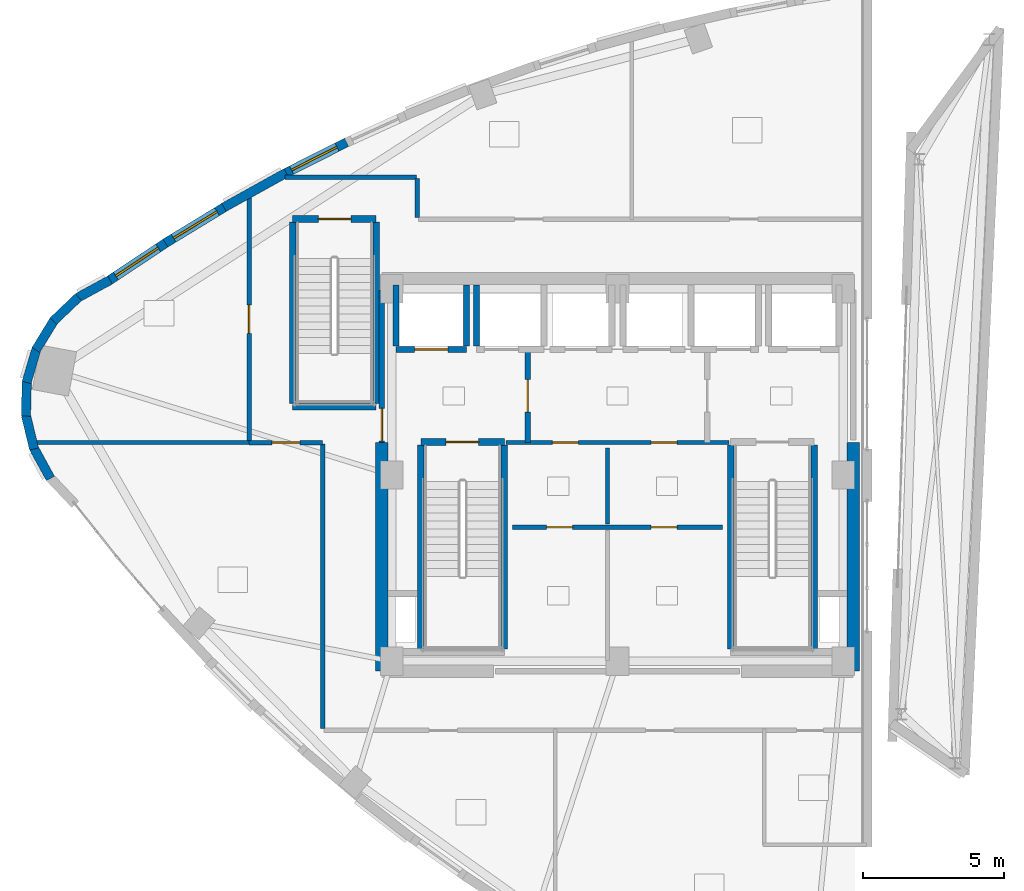
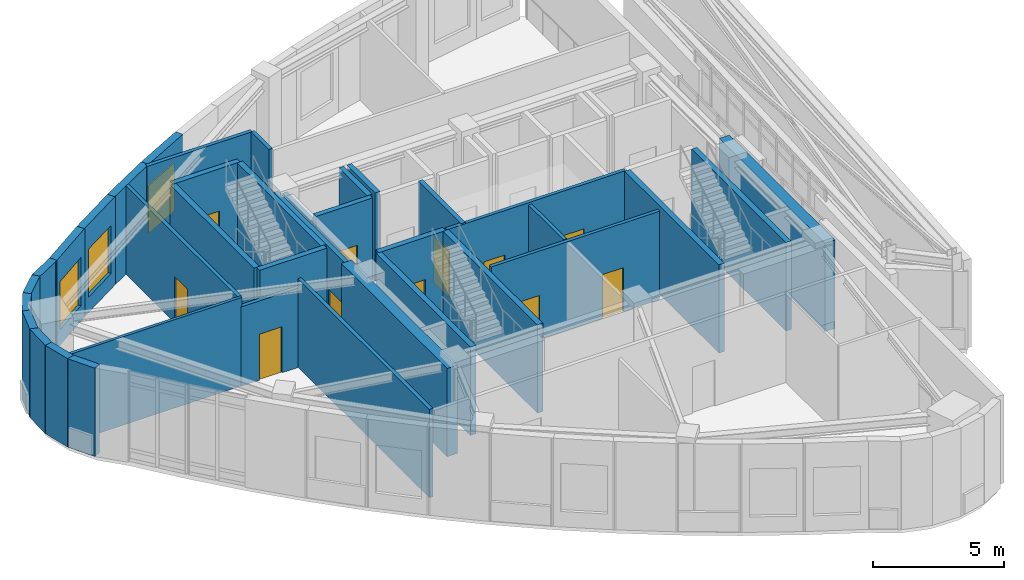
# One storey, part 14 of 19: 37 walls, 11 doors, 3 windows, 14 openings.
"""IFC4 building model written with IfcOpenShell, lengths in metres."""

import ifcopenshell
import ifcopenshell.guid

model = None  # the IFC model being written
_history = None  # IfcOwnerHistory: only IFC2X3 demands one
_inside = {}  # id of a spatial element -> (the spatial element, [elements in it])
_under = {}  # id of a project, library or spatial element -> (it, [spatial elements below it])
_declared = {}  # id of a project -> (the project, [libraries it declares])
_typed = {}  # id of a type object -> (the type object, [elements of that type])
_made_of = {}  # id of a material, layer set ... -> (it, [elements and type objects made of it])


def new_model(schema):
    """Start an empty IFC model of exactly this schema.

    Asked for "IFC4X3", IfcOpenShell would pick the latest addendum, in which some entities
    have other attributes; the version numbers below select the first issue.
    IFC2X3 requires an IfcOwnerHistory on every rooted entity: one is made here for all.
    """
    global model, _history
    if schema == "IFC4X3":
        model = ifcopenshell.file(schema_version=(4, 3, 0, 0))
    else:
        model = ifcopenshell.file(schema=schema)
    _inside.clear()
    _under.clear()
    _declared.clear()
    _typed.clear()
    _made_of.clear()
    _history = None
    if model.schema == "IFC2X3":
        org = make("IfcOrganization", Name="unknown")
        user = make(
            "IfcPersonAndOrganization",
            ThePerson=make("IfcPerson", FamilyName="unknown"),
            TheOrganization=org,
        )
        app = make(
            "IfcApplication",
            ApplicationDeveloper=org,
            Version="unknown",
            ApplicationFullName="unknown",
            ApplicationIdentifier="unknown",
        )
        _history = make(
            "IfcOwnerHistory",
            OwningUser=user,
            OwningApplication=app,
            ChangeAction="ADDED",
            CreationDate=0,
        )
    return model


def make(cls, **values):
    """One entity of the class cls with the attributes given. An attribute that is None is left unset."""
    return model.create_entity(
        cls, **{name: value for name, value in values.items() if value is not None}
    )


def rooted(cls, **values):
    """An entity with a GlobalId (a new one), such as an element, a storey or a relation."""
    return make(cls, GlobalId=ifcopenshell.guid.new(), OwnerHistory=_history, **values)


def si_unit(unit_type, name, prefix=None):
    """IfcSIUnit, for example si_unit("LENGTHUNIT", "METRE", prefix="MILLI")."""
    return make("IfcSIUnit", UnitType=unit_type, Prefix=prefix, Name=name)


def assignment(units):
    """IfcUnitAssignment: the units of a project."""
    return None if units is None else make("IfcUnitAssignment", Units=units)


def point(xyz):
    """IfcCartesianPoint."""
    return None if xyz is None else make("IfcCartesianPoint", Coordinates=xyz)


def direction(xyz):
    """IfcDirection."""
    return None if xyz is None else make("IfcDirection", DirectionRatios=xyz)


def frame(location, z_axis=None, x_axis=None):
    """IfcAxis2Placement3D, a coordinate frame: its origin and axes. An axis left out is left unset."""
    return make(
        "IfcAxis2Placement3D",
        Location=point(location),
        Axis=direction(z_axis),
        RefDirection=direction(x_axis),
    )


def frame_2d(location, x_axis=None):
    """IfcAxis2Placement2D, a coordinate frame in the plane: its origin and x axis."""
    return make(
        "IfcAxis2Placement2D", Location=point(location), RefDirection=direction(x_axis)
    )


def origin():
    """The frame at (0, 0, 0) with its axes left unset."""
    return frame((0.0, 0.0, 0.0))


def place(relative_to, where):
    """IfcLocalPlacement: puts the frame where relative to a parent placement (None: the world)."""
    return make(
        "IfcLocalPlacement", PlacementRelTo=relative_to, RelativePlacement=where
    )


def context(
    kind, dimensions, precision=None, world=None, true_north=None, identifier=None
):
    """IfcGeometricRepresentationContext, for example the 3D "Model" context."""
    return make(
        "IfcGeometricRepresentationContext",
        ContextIdentifier=identifier,
        ContextType=kind,
        CoordinateSpaceDimension=dimensions,
        Precision=precision,
        WorldCoordinateSystem=world,
        TrueNorth=true_north,
    )


def subcontext(parent, identifier, kind, view, scale=None):
    """IfcGeometricRepresentationSubContext, for example "Body" below "Model"."""
    return make(
        "IfcGeometricRepresentationSubContext",
        ContextIdentifier=identifier,
        ContextType=kind,
        ParentContext=parent,
        TargetScale=scale,
        TargetView=view,
    )


def project(units=None, contexts=None):
    """IfcProject with its units and contexts."""
    return rooted(
        "IfcProject",
        Name="project",
        RepresentationContexts=contexts,
        UnitsInContext=assignment(units),
    )


def spatial(cls, under=None, at=None, **own):
    """A site, building, storey or space (cls), placed at a placement, below another one or the project."""
    s = rooted(cls, ObjectPlacement=at, **own)
    if under is not None:
        _under.setdefault(under.id(), (under, []))[1].append(s)
    return s


def profile(cls, at=None, kind="AREA", **sizes):
    """A parametric profile (cls). Its sizes go by their IFC names, for example OverallWidth=200.0."""
    return make(cls, ProfileType=kind, Position=at, **sizes)


def rectangle(**sizes):
    """IfcRectangleProfileDef."""
    return profile("IfcRectangleProfileDef", **sizes)


def extrude(swept, where, along, depth):
    """IfcExtrudedAreaSolid: the profile swept, set in the frame where, extruded along a direction by depth."""
    return make(
        "IfcExtrudedAreaSolid",
        SweptArea=swept,
        Position=where,
        ExtrudedDirection=direction(along),
        Depth=depth,
    )


def shape(context_of_items, identifier, shape_type, items):
    """IfcShapeRepresentation: the items that make up one representation, for example the "Body"."""
    return make(
        "IfcShapeRepresentation",
        ContextOfItems=context_of_items,
        RepresentationIdentifier=identifier,
        RepresentationType=shape_type,
        Items=items,
    )


def material(Name=None, Category=None):
    """IfcMaterial."""
    return make("IfcMaterial", Name=Name, Category=Category)


def layer(
    of_material, thickness, ventilated=None, Name=None, Category=None, Priority=None
):
    """IfcMaterialLayer: one layer of a wall or slab, of a material (None: an air gap)."""
    return make(
        "IfcMaterialLayer",
        Material=of_material,
        LayerThickness=thickness,
        IsVentilated=ventilated,
        Name=Name,
        Category=Category,
        Priority=Priority,
    )


def layer_set(layers, Name=None):
    """IfcMaterialLayerSet."""
    return make("IfcMaterialLayerSet", MaterialLayers=layers, LayerSetName=Name)


def made_of(thing, what):
    """Note that an element or type object is made of a material, layer set ...; save() writes the relation."""
    if what is not None:
        _made_of.setdefault(what.id(), (what, []))[1].append(thing)
    return thing


def type_object(cls, material=None, **own):
    """A type object (cls), such as IfcWallType, which elements share."""
    return made_of(rooted(cls, **own), material)


def element(
    cls,
    number,
    at=None,
    inside=None,
    cuts=None,
    type_object=None,
    material=None,
    context=None,
    identifier="Body",
    shape_type=None,
    held_by="IfcProductDefinitionShape",
    body=None,
    shapes=None,
    **own,
):
    """One element of the class cls, such as IfcWall. Its Tag is "e" and its number.

    at: its placement. inside: the storey or other place that contains it. cuts: it is an
    opening in that element (IfcRelVoidsElement). A single representation is given by context,
    identifier, shape_type and body (its items); several are given by shapes. held_by: the class
    of the entity that holds the representations. save() writes the other relations.
    """
    e = rooted(cls, Tag="e%d" % number, ObjectPlacement=at, **own)
    if body is not None:
        shapes = [shape(context, identifier, shape_type, body)]
    if shapes is not None:
        e.Representation = make(held_by, Representations=shapes)
    if inside is not None:
        _inside.setdefault(inside.id(), (inside, []))[1].append(e)
    if cuts is not None:
        rooted(
            "IfcRelVoidsElement", RelatingBuildingElement=cuts, RelatedOpeningElement=e
        )
    if type_object is not None:
        _typed.setdefault(type_object.id(), (type_object, []))[1].append(e)
    return made_of(e, material)


def fill(opening, filler):
    """IfcRelFillsElement: the door or window that sits in an opening."""
    return rooted(
        "IfcRelFillsElement",
        RelatingOpeningElement=opening,
        RelatedBuildingElement=filler,
    )


def aggregate(whole, parts):
    """IfcRelAggregates: a whole, such as a stair, and the parts it consists of."""
    return rooted("IfcRelAggregates", RelatingObject=whole, RelatedObjects=parts)


def save(model, path):
    """Write the relations noted so far, then the file.

    IfcRelAggregates (storeys below a building ...), IfcRelContainedInSpatialStructure (elements
    in a storey), IfcRelDefinesByType, IfcRelAssociatesMaterial and IfcRelDeclares: one each for
    every whole, place, type object, material and project.
    """
    for whole, parts in _under.values():
        aggregate(whole, parts)
    for where, things in _inside.values():
        rooted(
            "IfcRelContainedInSpatialStructure",
            RelatedElements=things,
            RelatingStructure=where,
        )
    for kind, things in _typed.values():
        rooted("IfcRelDefinesByType", RelatedObjects=things, RelatingType=kind)
    for what, things in _made_of.values():
        rooted("IfcRelAssociatesMaterial", RelatedObjects=things, RelatingMaterial=what)
    for by, libraries in _declared.values():
        rooted("IfcRelDeclares", RelatingContext=by, RelatedDefinitions=libraries)
    model.write(path)


model = new_model("IFC4")

# Units and contexts
model_context = context("Model", 3, precision=1e-05, world=origin(), true_north=direction((0.0, 1.0)))
body_context = subcontext(model_context, "Body", "Model", "MODEL_VIEW")
ifc_project = project(units=[si_unit("LENGTHUNIT", "METRE"), si_unit("AREAUNIT", "SQUARE_METRE"), si_unit("VOLUMEUNIT", "CUBIC_METRE"), si_unit("PLANEANGLEUNIT", "RADIAN"), si_unit("MASSUNIT", "GRAM", prefix="KILO")], contexts=[model_context])

# Site, building, storey
site_placement = place(None, origin())
site = spatial("IfcSite", under=ifc_project, at=site_placement, CompositionType="ELEMENT")
building_placement = place(site_placement, origin())
building = spatial("IfcBuilding", under=site, at=building_placement, Name="Ndelora Gate Hotel", CompositionType="ELEMENT")
storey_placement = place(building_placement, frame((0.0, 0.0, 286.0)))
storey = spatial("IfcBuildingStorey", under=building, at=storey_placement, Name="L71", CompositionType="ELEMENT", Elevation=286.0)

# Walls
ifc_material_1 = material(Name="Clay Brick Masonry", Category="masonry")
ifc_layer_1 = layer(ifc_material_1, 0.330078125)
ifc_layer_set_1 = layer_set([ifc_layer_1], Name="Clay Brick Masonry")
wall_type_1 = type_object("IfcWallType", Name="WL-BRICK-330", PredefinedType="SOLIDWALL", material=ifc_layer_set_1)
wall_1_placement = place(storey_placement, frame((-19.128173828125, 6.2841796875, 0.0), z_axis=(0.0, 0.0, 1.0), x_axis=(0.878173375728, 0.478342473719, 0.0)))
element("IfcWall", 1, at=wall_1_placement, inside=storey, type_object=wall_type_1, Name="L71 Tower Brick Pier-and-Spandrel Wall WPK-1", PredefinedType="SOLIDWALL", context=body_context, shape_type="SweptSolid", body=[
    extrude(rectangle(XDim=1.30908203125, YDim=0.330078125, at=frame_2d((0.654541015625, 0.0))), origin(), (0.0, 0.0, 1.0), 4.1298828125),
])
for number, where, z_axis, x_axis, name in (
    (2, (-19.989013671875, 5.454345703125, 0.0), (0.0, 0.0, 1.0), (0.72422318741, 0.689565642138, 0.0), "L71 Tower Brick Pier-and-Spandrel Wall WPK-3"),
    (3, (-20.606201171875, 4.429931640625, 0.0), (0.0, 0.0, 1.0), (0.521216361952, 0.853424574308, 0.0), "L71 Tower Brick Pier-and-Spandrel Wall WPK-5"),
    (4, (-20.93701171875, 3.28076171875, 0.0), (0.0, 0.0, 1.0), (0.282392736693, 0.95929888057, 0.0), "L71 Tower Brick Pier-and-Spandrel Wall WPK-7"),
    (5, (-20.95947265625, 2.085205078125, 0.0), (0.0, 0.0, 1.0), (0.024698579996, 0.999694943543, 0.0), "L71 Tower Brick Pier-and-Spandrel Wall WPK-9"),
    (6, (-20.67138671875, 0.92431640625, 0.0), (0.0, 0.0, 1.0), (-0.234796268819, 0.972044603991, 0.0), "L71 Tower Brick Pier-and-Spandrel Wall WPK-11"),
):
    element("IfcWall", number, at=place(storey_placement, frame(where, z_axis=z_axis, x_axis=x_axis)), inside=storey, type_object=wall_type_1, Name=name, PredefinedType="SOLIDWALL", context=body_context, shape_type="SweptSolid", body=[
        extrude(rectangle(XDim=1.225830078125, YDim=0.330078125, at=frame_2d((0.61279296875, 0.0))), origin(), (0.0, 0.0, 1.0), 4.1298828125),
    ])
wall_2_placement = place(storey_placement, frame((-20.0927734375, -0.122314453125, 0.0), z_axis=(0.0, 0.0, 1.0), x_axis=(-0.478321862725, 0.878184602256, 0.0)))
element("IfcWall", 7, at=wall_2_placement, inside=storey, type_object=wall_type_1, Name="L71 Tower Brick Pier-and-Spandrel Wall WPK-13", PredefinedType="SOLIDWALL", context=body_context, shape_type="SweptSolid", body=[
    extrude(rectangle(XDim=1.22607421875, YDim=0.330078125, at=frame_2d((0.613037109375, 0.0))), origin(), (0.0, 0.0, 1.0), 4.1298828125),
])

# Wall, opening, window
wall_3_placement = place(storey_placement, frame((-11.836181640625, 10.6591796875, 0.0), z_axis=(0.0, 0.0, 1.0), x_axis=(0.892552621867, 0.450943252747, 0.0)))
wall_3 = element("IfcWall", 8, at=wall_3_placement, inside=storey, type_object=wall_type_1, Name="L71 Tower Brick Pier-and-Spandrel Wall WPK-60", PredefinedType="SOLIDWALL", context=body_context, shape_type="SweptSolid", body=[
    extrude(rectangle(XDim=2.510986328125, YDim=0.330078125, at=frame_2d((1.25537109375, 0.0))), origin(), (0.0, 0.0, 1.0), 4.1298828125),
])
opening_1_placement = place(wall_3_placement, frame((0.325439453125, 0.0, 0.719970703125)))
opening_1 = element("IfcOpeningElement", 9, at=opening_1_placement, cuts=wall_3, Name="Opening W06", PredefinedType="OPENING", context=body_context, shape_type="SweptSolid", body=[
    extrude(rectangle(XDim=1.800048828125, YDim=2.25, at=frame_2d((0.89990234375, 1.125))), frame((0.0, 0.175048828125, 0.0), z_axis=(0.0, -1.0, 0.0), x_axis=(1.0, 0.0, 0.0)), (0.0, 0.0, 1.0), 0.35009765625),
])
ifc_material_2 = material(Name="Insulated Low-E Double Glazing in Bronze Aluminium Frame", Category="aluminium")
window_type = type_object("IfcWindowType", Name="WN-OBS-1800", PartitioningType="SINGLE_PANEL", PredefinedType="WINDOW", material=ifc_material_2)
window_1_placement = place(opening_1_placement, origin())
window_1 = element("IfcWindow", 10, at=window_1_placement, inside=storey, type_object=window_type, Name="L71 Deep-Set Brick-Pier Window W06", OverallHeight=2.25, OverallWidth=1.800048828125, PartitioningType="SINGLE_PANEL", PredefinedType="WINDOW", context=body_context, shape_type="SweptSolid", body=[
    extrude(rectangle(XDim=1.800048828125, YDim=2.25, at=frame_2d((0.89990234375, 1.125))), frame((0.0, 0.030029296875, 0.0), z_axis=(0.0, -1.0, 0.0), x_axis=(1.0, 0.0, 0.0)), (0.0, 0.0, 1.0), 0.06005859375),
])
fill(opening_1, window_1)

# Wall
wall_4_placement = place(storey_placement, frame((-13.94384765625, 9.484619140625, 0.0), z_axis=(0.0, 0.0, 1.0), x_axis=(0.873960918974, 0.485996205856, 0.0)))
element("IfcWall", 11, at=wall_4_placement, inside=storey, type_object=wall_type_1, Name="L71 Tower Brick Pier-and-Spandrel Wall WPK-61", PredefinedType="SOLIDWALL", context=body_context, shape_type="SweptSolid", body=[
    extrude(rectangle(XDim=2.522705078125, YDim=0.330078125, at=frame_2d((1.26123046875, 0.0))), origin(), (0.0, 0.0, 1.0), 4.1298828125),
])

# Wall, opening, window
wall_5_placement = place(storey_placement, frame((-16.0166015625, 8.21923828125, 0.0), z_axis=(0.0, 0.0, 1.0), x_axis=(0.854010909552, 0.520255097395, 0.0)))
wall_5 = element("IfcWall", 12, at=wall_5_placement, inside=storey, type_object=wall_type_1, Name="L71 Tower Brick Pier-and-Spandrel Wall WPK-62", PredefinedType="SOLIDWALL", context=body_context, shape_type="SweptSolid", body=[
    extrude(rectangle(XDim=2.538330078125, YDim=0.330078125, at=frame_2d((1.26904296875, 0.0))), origin(), (0.0, 0.0, 1.0), 4.1298828125),
])
opening_2_placement = place(wall_5_placement, frame((0.339111328125, 0.0, 0.719970703125)))
opening_2 = element("IfcOpeningElement", 13, at=opening_2_placement, cuts=wall_5, Name="Opening W06", PredefinedType="OPENING", context=body_context, shape_type="SweptSolid", body=[
    extrude(rectangle(XDim=1.800048828125, YDim=2.25, at=frame_2d((0.89990234375, 1.125))), frame((0.0, 0.175048828125, 0.0), z_axis=(0.0, -1.0, 0.0), x_axis=(1.0, 0.0, 0.0)), (0.0, 0.0, 1.0), 0.35009765625),
])
window_2_placement = place(opening_2_placement, origin())
window_2 = element("IfcWindow", 14, at=window_2_placement, inside=storey, type_object=window_type, Name="L71 Deep-Set Brick-Pier Window W06", OverallHeight=2.25, OverallWidth=1.800048828125, PartitioningType="SINGLE_PANEL", PredefinedType="WINDOW", context=body_context, shape_type="SweptSolid", body=[
    extrude(rectangle(XDim=1.800048828125, YDim=2.25, at=frame_2d((0.89990234375, 1.125))), frame((0.0, 0.030029296875, 0.0), z_axis=(0.0, -1.0, 0.0), x_axis=(1.0, 0.0, 0.0)), (0.0, 0.0, 1.0), 0.06005859375),
])
fill(opening_2, window_2)

wall_6_placement = place(storey_placement, frame((-18.072509765625, 6.853759765625, 0.0), z_axis=(0.0, 0.0, 1.0), x_axis=(0.833460819708, 0.552578557322, 0.0)))
wall_6 = element("IfcWall", 15, at=wall_6_placement, inside=storey, type_object=wall_type_1, Name="L71 Tower Brick Pier-and-Spandrel Wall WPK-63", PredefinedType="SOLIDWALL", context=body_context, shape_type="SweptSolid", body=[
    extrude(rectangle(XDim=2.578125, YDim=0.330078125, at=frame_2d((1.2890625, 0.0))), origin(), (0.0, 0.0, 1.0), 4.1298828125),
])
opening_3_placement = place(wall_6_placement, frame((0.35888671875, 0.0, 0.719970703125)))
opening_3 = element("IfcOpeningElement", 16, at=opening_3_placement, cuts=wall_6, Name="Opening W06", PredefinedType="OPENING", context=body_context, shape_type="SweptSolid", body=[
    extrude(rectangle(XDim=1.800048828125, YDim=2.25, at=frame_2d((0.89990234375, 1.125))), frame((0.0, 0.175048828125, 0.0), z_axis=(0.0, -1.0, 0.0), x_axis=(1.0, 0.0, 0.0)), (0.0, 0.0, 1.0), 0.35009765625),
])
window_3_placement = place(opening_3_placement, origin())
window_3 = element("IfcWindow", 17, at=window_3_placement, inside=storey, type_object=window_type, Name="L71 Deep-Set Brick-Pier Window W06", OverallHeight=2.25, OverallWidth=1.800048828125, PartitioningType="SINGLE_PANEL", PredefinedType="WINDOW", context=body_context, shape_type="SweptSolid", body=[
    extrude(rectangle(XDim=1.800048828125, YDim=2.25, at=frame_2d((0.89990234375, 1.125))), frame((0.0, 0.030029296875, 0.0), z_axis=(0.0, -1.0, 0.0), x_axis=(1.0, 0.0, 0.0)), (0.0, 0.0, 1.0), 0.06005859375),
])
fill(opening_3, window_3)

# Walls
ifc_material_3 = material(Name="Concrete C50/60", Category="concrete")
ifc_layer_2 = layer(ifc_material_3, 0.449951171875)
ifc_layer_set_2 = layer_set([ifc_layer_2], Name="Concrete C50/60")
wall_type_2 = type_object("IfcWallType", Name="WL-CORE-450", PredefinedType="SHEAR", material=ifc_layer_set_2)
for number, where, z_axis, x_axis, name in (
    (18, (-8.35009765625, -6.949951171875, 0.0), (0.0, 0.0, 1.0), (0.0, 1.0, 0.0), "L71 Core Shear Wall W"),
    (19, (8.35009765625, -6.949951171875, 0.0), (0.0, 0.0, 1.0), (0.0, 1.0, 0.0), "L71 Core Shear Wall E"),
):
    element("IfcWall", number, at=place(storey_placement, frame(where, z_axis=z_axis, x_axis=x_axis)), inside=storey, type_object=wall_type_2, Name=name, PredefinedType="SHEAR", context=body_context, shape_type="SweptSolid", body=[
        extrude(rectangle(XDim=8.099853515625, YDim=0.449951171875, at=frame_2d((4.0498046875, 0.0))), origin(), (0.0, 0.0, 1.0), 4.1298828125),
    ])

# Wall, opening, door
ifc_material_4 = material(Name="Concrete C40/50", Category="concrete")
ifc_layer_3 = layer(ifc_material_4, 0.199951171875)
ifc_layer_set_3 = layer_set([ifc_layer_3], Name="Concrete C40/50")
wall_type_3 = type_object("IfcWallType", Name="WL-FIRE-200", PredefinedType="PARTITIONING", material=ifc_layer_set_3)
wall_7_placement = place(storey_placement, frame((-3.179931640625, 1.14990234375, 0.0), z_axis=(0.0, 0.0, 1.0), x_axis=(0.0, 1.0, 0.0)))
wall_7 = element("IfcWall", 20, at=wall_7_placement, inside=storey, type_object=wall_type_3, Name="L71 Interior Wall IW-2", PredefinedType="PARTITIONING", context=body_context, shape_type="SweptSolid", body=[
    extrude(rectangle(XDim=3.300048828125, YDim=0.199951171875, at=frame_2d((1.64990234375, 0.0))), origin(), (0.0, 0.0, 1.0), 4.1298828125),
])
opening_4_placement = place(wall_7_placement, frame((1.080078125, 0.0, 0.0)))
opening_4 = element("IfcOpeningElement", 21, at=opening_4_placement, cuts=wall_7, Name="Opening FD1", PredefinedType="OPENING", context=body_context, shape_type="SweptSolid", body=[
    extrude(rectangle(XDim=1.14990234375, YDim=2.14990234375, at=frame_2d((0.574951171875, 1.074951171875))), frame((0.0, 0.10986328125, 0.0), z_axis=(0.0, -1.0, 0.0), x_axis=(1.0, 0.0, 0.0)), (0.0, 0.0, 1.0), 0.219970703125),
])
ifc_material_5 = material(Name="Fire-Rated Timber-Veneer Steel Core", Category="steel")
door_type_1 = type_object("IfcDoorType", Name="DR-FD60", OperationType="SINGLE_SWING_LEFT", PredefinedType="DOOR", material=ifc_material_5)
door_1_placement = place(opening_4_placement, origin())
door_1 = element("IfcDoor", 22, at=door_1_placement, inside=storey, type_object=door_type_1, Name="L71 Firefighting Lobby West Door", OperationType="SINGLE_SWING_RIGHT", OverallHeight=2.14990234375, OverallWidth=1.14990234375, PredefinedType="DOOR", context=body_context, shape_type="SweptSolid", body=[
    extrude(rectangle(XDim=1.14990234375, YDim=2.14990234375, at=frame_2d((0.574951171875, 1.074951171875))), frame((0.0, 0.02490234375, 0.0), z_axis=(0.0, -1.0, 0.0), x_axis=(1.0, 0.0, 0.0)), (0.0, 0.0, 1.0), 0.050048828125),
])
fill(opening_4, door_1)

wall_8_placement = place(storey_placement, frame((-8.35009765625, 1.14990234375, 0.0), z_axis=(0.0, 0.0, 1.0), x_axis=(0.0, 1.0, 0.0)))
wall_8 = element("IfcWall", 23, at=wall_8_placement, inside=storey, type_object=wall_type_3, Name="L71 Interior Wall IW-2", PredefinedType="PARTITIONING", context=body_context, shape_type="SweptSolid", body=[
    extrude(rectangle(XDim=5.400146484375, YDim=0.199951171875, at=frame_2d((2.7001953125, 0.0))), origin(), (0.0, 0.0, 1.0), 4.1298828125),
])
opening_5_placement = place(wall_8_placement, frame((0.06005859375, 0.0, 0.0)))
opening_5 = element("IfcOpeningElement", 24, at=opening_5_placement, cuts=wall_8, Name="Opening FD1", PredefinedType="OPENING", context=body_context, shape_type="SweptSolid", body=[
    extrude(rectangle(XDim=1.14990234375, YDim=2.14990234375, at=frame_2d((0.574951171875, 1.074951171875))), frame((0.0, 0.10986328125, 0.0), z_axis=(0.0, -1.0, 0.0), x_axis=(1.0, 0.0, 0.0)), (0.0, 0.0, 1.0), 0.219970703125),
])
door_2_placement = place(opening_5_placement, origin())
door_2 = element("IfcDoor", 25, at=door_2_placement, inside=storey, type_object=door_type_1, Name="L71 Firefighting Lobby West Corridor Door", OperationType="SINGLE_SWING_LEFT", OverallHeight=2.14990234375, OverallWidth=1.14990234375, PredefinedType="DOOR", context=body_context, shape_type="SweptSolid", body=[
    extrude(rectangle(XDim=1.14990234375, YDim=2.14990234375, at=frame_2d((0.574951171875, 1.074951171875))), frame((0.0, 0.02490234375, 0.0), z_axis=(0.0, -1.0, 0.0), x_axis=(1.0, 0.0, 0.0)), (0.0, 0.0, 1.0), 0.050048828125),
])
fill(opening_5, door_2)

# Wall, openings, doors
ifc_material_6 = material(Name="Fire-Rated Gypsum Stud Partition", Category="gypsum")
ifc_layer_4 = layer(ifc_material_6, 0.14990234375)
ifc_layer_set_4 = layer_set([ifc_layer_4], Name="Fire-Rated Gypsum Stud Partition")
wall_type_4 = type_object("IfcWallType", Name="WL-PART-150", PredefinedType="PARTITIONING", material=ifc_layer_set_4)
wall_9_placement = place(storey_placement, frame((3.949951171875, 1.14990234375, 0.0), z_axis=(0.0, 0.0, 1.0), x_axis=(-1.0, 0.0, 0.0)))
wall_9 = element("IfcWall", 26, at=wall_9_placement, inside=storey, type_object=wall_type_4, Name="L71 Interior Wall IW-5", PredefinedType="PARTITIONING", context=body_context, shape_type="SweptSolid", body=[
    extrude(rectangle(XDim=7.89990234375, YDim=0.14990234375, at=frame_2d((3.949951171875, 0.0))), origin(), (0.0, 0.0, 1.0), 4.1298828125),
])
opening_6_placement = place(wall_9_placement, frame((5.340087890625, 0.0, 0.0)))
opening_6 = element("IfcOpeningElement", 27, at=opening_6_placement, cuts=wall_9, Name="Opening D04", PredefinedType="OPENING", context=body_context, shape_type="SweptSolid", body=[
    extrude(rectangle(XDim=0.919921875, YDim=2.050048828125, at=frame_2d((0.4599609375, 1.02490234375))), frame((0.0, 0.0849609375, 0.0), z_axis=(0.0, -1.0, 0.0), x_axis=(1.0, 0.0, 0.0)), (0.0, 0.0, 1.0), 0.169921875),
])
opening_7_placement = place(wall_9_placement, frame((1.840087890625, 0.0, 0.0)))
opening_7 = element("IfcOpeningElement", 28, at=opening_7_placement, cuts=wall_9, Name="Opening D04", PredefinedType="OPENING", context=body_context, shape_type="SweptSolid", body=[
    extrude(rectangle(XDim=0.919921875, YDim=2.050048828125, at=frame_2d((0.4599609375, 1.02490234375))), frame((0.0, 0.0849609375, 0.0), z_axis=(0.0, -1.0, 0.0), x_axis=(1.0, 0.0, 0.0)), (0.0, 0.0, 1.0), 0.169921875),
])
ifc_material_7 = material(Name="Painted Steel Core Service Door", Category="steel")
door_type_2 = type_object("IfcDoorType", Name="DR-SER-920", OperationType="SINGLE_SWING_LEFT", PredefinedType="DOOR", material=ifc_material_7)
door_3_placement = place(opening_6_placement, origin())
door_3 = element("IfcDoor", 29, at=door_3_placement, inside=storey, type_object=door_type_2, Name="L71 Core Electrical Closet Door", OperationType="SINGLE_SWING_LEFT", OverallHeight=2.050048828125, OverallWidth=0.919921875, PredefinedType="DOOR", context=body_context, shape_type="SweptSolid", body=[
    extrude(rectangle(XDim=0.919921875, YDim=2.050048828125, at=frame_2d((0.4599609375, 1.02490234375))), frame((0.0, 0.02490234375, 0.0), z_axis=(0.0, -1.0, 0.0), x_axis=(1.0, 0.0, 0.0)), (0.0, 0.0, 1.0), 0.050048828125),
])
fill(opening_6, door_3)
door_4_placement = place(opening_7_placement, origin())
door_4 = element("IfcDoor", 30, at=door_4_placement, inside=storey, type_object=door_type_2, Name="L71 Comms Patching Store Door", OperationType="SINGLE_SWING_RIGHT", OverallHeight=2.050048828125, OverallWidth=0.919921875, PredefinedType="DOOR", context=body_context, shape_type="SweptSolid", body=[
    extrude(rectangle(XDim=0.919921875, YDim=2.050048828125, at=frame_2d((0.4599609375, 1.02490234375))), frame((0.0, 0.02490234375, 0.0), z_axis=(0.0, -1.0, 0.0), x_axis=(1.0, 0.0, 0.0)), (0.0, 0.0, 1.0), 0.050048828125),
])
fill(opening_7, door_4)

wall_10_placement = place(storey_placement, frame((-3.719970703125, -1.85009765625, 0.0), z_axis=(0.0, 0.0, 1.0), x_axis=(1.0, 0.0, 0.0)))
wall_10 = element("IfcWall", 31, at=wall_10_placement, inside=storey, type_object=wall_type_4, Name="L71 Interior Wall IW-5", PredefinedType="PARTITIONING", context=body_context, shape_type="SweptSolid", body=[
    extrude(rectangle(XDim=7.43994140625, YDim=0.14990234375, at=frame_2d((3.719970703125, 0.0))), origin(), (0.0, 0.0, 1.0), 4.1298828125),
])
opening_8_placement = place(wall_10_placement, frame((1.2099609375, 0.0, 0.0)))
opening_8 = element("IfcOpeningElement", 32, at=opening_8_placement, cuts=wall_10, Name="Opening D04", PredefinedType="OPENING", context=body_context, shape_type="SweptSolid", body=[
    extrude(rectangle(XDim=0.919921875, YDim=2.050048828125, at=frame_2d((0.4599609375, 1.02490234375))), frame((0.0, 0.0849609375, 0.0), z_axis=(0.0, -1.0, 0.0), x_axis=(1.0, 0.0, 0.0)), (0.0, 0.0, 1.0), 0.169921875),
])
opening_9_placement = place(wall_10_placement, frame((4.909912109375, 0.0, 0.0)))
opening_9 = element("IfcOpeningElement", 33, at=opening_9_placement, cuts=wall_10, Name="Opening D04", PredefinedType="OPENING", context=body_context, shape_type="SweptSolid", body=[
    extrude(rectangle(XDim=0.919921875, YDim=2.050048828125, at=frame_2d((0.4599609375, 1.02490234375))), frame((0.0, 0.0849609375, 0.0), z_axis=(0.0, -1.0, 0.0), x_axis=(1.0, 0.0, 0.0)), (0.0, 0.0, 1.0), 0.169921875),
])
door_5_placement = place(opening_8_placement, origin())
door_5 = element("IfcDoor", 34, at=door_5_placement, inside=storey, type_object=door_type_2, Name="L71 Core Service Internal Door", OperationType="SINGLE_SWING_LEFT", OverallHeight=2.050048828125, OverallWidth=0.919921875, PredefinedType="DOOR", context=body_context, shape_type="SweptSolid", body=[
    extrude(rectangle(XDim=0.919921875, YDim=2.050048828125, at=frame_2d((0.4599609375, 1.02490234375))), frame((0.0, 0.02490234375, 0.0), z_axis=(0.0, -1.0, 0.0), x_axis=(1.0, 0.0, 0.0)), (0.0, 0.0, 1.0), 0.050048828125),
])
fill(opening_8, door_5)
door_6_placement = place(opening_9_placement, origin())
door_6 = element("IfcDoor", 35, at=door_6_placement, inside=storey, type_object=door_type_2, Name="L71 Core Service Internal Door", OperationType="SINGLE_SWING_LEFT", OverallHeight=2.050048828125, OverallWidth=0.919921875, PredefinedType="DOOR", context=body_context, shape_type="SweptSolid", body=[
    extrude(rectangle(XDim=0.919921875, YDim=2.050048828125, at=frame_2d((0.4599609375, 1.02490234375))), frame((0.0, 0.02490234375, 0.0), z_axis=(0.0, -1.0, 0.0), x_axis=(1.0, 0.0, 0.0)), (0.0, 0.0, 1.0), 0.050048828125),
])
fill(opening_9, door_6)

# Walls
wall_11_placement = place(storey_placement, frame((-0.35009765625, -1.72998046875, 0.0), z_axis=(0.0, 0.0, 1.0), x_axis=(0.0, 1.0, 0.0)))
element("IfcWall", 36, at=wall_11_placement, inside=storey, type_object=wall_type_4, Name="L71 Interior Wall IW-5", PredefinedType="PARTITIONING", context=body_context, shape_type="SweptSolid", body=[
    extrude(rectangle(XDim=2.679931640625, YDim=0.14990234375, at=frame_2d((1.33984375, 0.0))), origin(), (0.0, 0.0, 1.0), 4.1298828125),
])
ifc_layer_5 = layer(ifc_material_6, 0.159912109375)
ifc_layer_set_5 = layer_set([ifc_layer_5], Name="Fire-Rated Gypsum Stud Partition")
wall_type_5 = type_object("IfcWallType", Name="WL-PART-160", PredefinedType="PARTITIONING", material=ifc_layer_set_5)
wall_12_placement = place(storey_placement, frame((-7.10009765625, 9.1201171875, 0.0), z_axis=(0.0, 0.0, 1.0), x_axis=(0.0, 1.0, 0.0)))
element("IfcWall", 37, at=wall_12_placement, inside=storey, type_object=wall_type_5, Name="L71 Interior Wall IW-4", PredefinedType="PARTITIONING", context=body_context, shape_type="SweptSolid", body=[
    extrude(rectangle(XDim=1.3798828125, YDim=0.159912109375, at=frame_2d((0.68994140625, 0.0))), origin(), (0.0, 0.0, 1.0), 4.1298828125),
])
wall_13_placement = place(storey_placement, frame((-7.1201171875, 10.550048828125, 0.0), z_axis=(0.0, 0.0, 1.0), x_axis=(-1.0, 0.0, 0.0)))
element("IfcWall", 38, at=wall_13_placement, inside=storey, type_object=wall_type_5, Name="L71 Interior Wall IW-4", PredefinedType="PARTITIONING", context=body_context, shape_type="SweptSolid", body=[
    extrude(rectangle(XDim=4.661376953125, YDim=0.159912109375, at=frame_2d((2.33056640625, 0.0))), origin(), (0.0, 0.0, 1.0), 4.1298828125),
])

# Wall, opening, door
wall_14_placement = place(storey_placement, frame((-13.050048828125, 9.844482421875, 0.0), z_axis=(0.0, 0.0, 1.0), x_axis=(0.0, -1.0, 0.0)))
wall_14 = element("IfcWall", 39, at=wall_14_placement, inside=storey, type_object=wall_type_5, Name="L71 Interior Wall IW-4", PredefinedType="PARTITIONING", context=body_context, shape_type="SweptSolid", body=[
    extrude(rectangle(XDim=8.64453125, YDim=0.159912109375, at=frame_2d((4.322265625, 0.0))), origin(), (0.0, 0.0, 1.0), 4.1298828125),
])
opening_10_placement = place(wall_14_placement, frame((3.822265625, 0.0, 0.0)))
opening_10 = element("IfcOpeningElement", 40, at=opening_10_placement, cuts=wall_14, Name="Opening D01", PredefinedType="OPENING", context=body_context, shape_type="SweptSolid", body=[
    extrude(rectangle(XDim=1.0, YDim=2.14990234375, at=frame_2d((0.5, 1.074951171875))), frame((0.0, 0.08984375, 0.0), z_axis=(0.0, -1.0, 0.0), x_axis=(1.0, 0.0, 0.0)), (0.0, 0.0, 1.0), 0.179931640625),
])
ifc_material_8 = material(Name="Acoustic Hardwood Guest Entrance Door", Category="wood")
door_type_3 = type_object("IfcDoorType", Name="DR-COR-1000", OperationType="SINGLE_SWING_LEFT", PredefinedType="DOOR", material=ifc_material_8)
door_7_placement = place(opening_10_placement, origin())
door_7 = element("IfcDoor", 41, at=door_7_placement, inside=storey, type_object=door_type_3, Name="L71 North-West Sky Study Office Door", OperationType="SINGLE_SWING_RIGHT", OverallHeight=2.14990234375, OverallWidth=1.0, PredefinedType="DOOR", context=body_context, shape_type="SweptSolid", body=[
    extrude(rectangle(XDim=1.0, YDim=2.14990234375, at=frame_2d((0.5, 1.074951171875))), frame((0.0, 0.02490234375, 0.0), z_axis=(0.0, -1.0, 0.0), x_axis=(1.0, 0.0, 0.0)), (0.0, 0.0, 1.0), 0.050048828125),
])
fill(opening_10, door_7)

wall_15_placement = place(storey_placement, frame((-13.050048828125, 1.14990234375, 0.0), z_axis=(0.0, 0.0, 1.0), x_axis=(1.0, 0.0, 0.0)))
wall_15 = element("IfcWall", 42, at=wall_15_placement, inside=storey, type_object=wall_type_5, Name="L71 Interior Wall IW-4", PredefinedType="PARTITIONING", context=body_context, shape_type="SweptSolid", body=[
    extrude(rectangle(XDim=2.60009765625, YDim=0.159912109375, at=frame_2d((1.300048828125, 0.0))), origin(), (0.0, 0.0, 1.0), 3.7099609375),
])
opening_11_placement = place(wall_15_placement, frame((0.800048828125, 0.0, 0.0)))
opening_11 = element("IfcOpeningElement", 43, at=opening_11_placement, cuts=wall_15, Name="Opening D01", PredefinedType="OPENING", context=body_context, shape_type="SweptSolid", body=[
    extrude(rectangle(XDim=1.0, YDim=2.14990234375, at=frame_2d((0.5, 1.074951171875))), frame((0.0, 0.08984375, 0.0), z_axis=(0.0, -1.0, 0.0), x_axis=(1.0, 0.0, 0.0)), (0.0, 0.0, 1.0), 0.179931640625),
])
door_8_placement = place(opening_11_placement, origin())
door_8 = element("IfcDoor", 44, at=door_8_placement, inside=storey, type_object=door_type_3, Name="L71 West Horizon Dining Restaurant Door", OperationType="SINGLE_SWING_LEFT", OverallHeight=2.14990234375, OverallWidth=1.0, PredefinedType="DOOR", context=body_context, shape_type="SweptSolid", body=[
    extrude(rectangle(XDim=1.0, YDim=2.14990234375, at=frame_2d((0.5, 1.074951171875))), frame((0.0, 0.02490234375, 0.0), z_axis=(0.0, -1.0, 0.0), x_axis=(1.0, 0.0, 0.0)), (0.0, 0.0, 1.0), 0.050048828125),
])
fill(opening_11, door_8)

# Wall
wall_16_placement = place(storey_placement, frame((-10.449951171875, 1.10009765625, 0.0), z_axis=(0.0, 0.0, 1.0), x_axis=(0.0, -1.0, 0.0)))
element("IfcWall", 45, at=wall_16_placement, inside=storey, type_object=wall_type_5, Name="L71 Interior Wall IW-4", PredefinedType="PARTITIONING", context=body_context, shape_type="SweptSolid", body=[
    extrude(rectangle(XDim=10.080078125, YDim=0.159912109375, at=frame_2d((5.0400390625, 0.0))), origin(), (0.0, 0.0, 1.0), 4.1298828125),
])

# Wall, opening, door
ifc_layer_6 = layer(ifc_material_4, 0.219970703125)
ifc_layer_set_6 = layer_set([ifc_layer_6], Name="Concrete C40/50")
wall_type_6 = type_object("IfcWallType", Name="WL-SHAFT-220", PredefinedType="PARTITIONING", material=ifc_layer_set_6)
wall_17_placement = place(storey_placement, frame((-7.85009765625, 4.449951171875, 0.0), z_axis=(0.0, 0.0, 1.0), x_axis=(1.0, 0.0, 0.0)))
wall_17 = element("IfcWall", 46, at=wall_17_placement, inside=storey, type_object=wall_type_6, Name="L71 Interior Wall IW-1", PredefinedType="PARTITIONING", context=body_context, shape_type="SweptSolid", body=[
    extrude(rectangle(XDim=2.5, YDim=0.219970703125, at=frame_2d((1.25, 0.0))), origin(), (0.0, 0.0, 1.0), 4.1298828125),
])
opening_12_placement = place(wall_17_placement, frame((0.659912109375, 0.0, 0.0)))
opening_12 = element("IfcOpeningElement", 47, at=opening_12_placement, cuts=wall_17, Name="Opening LD5", PredefinedType="OPENING", context=body_context, shape_type="SweptSolid", body=[
    extrude(rectangle(XDim=1.179931640625, YDim=2.14990234375, at=frame_2d((0.58984375, 1.074951171875))), frame((0.0, 0.1201171875, 0.0), z_axis=(0.0, -1.0, 0.0), x_axis=(1.0, 0.0, 0.0)), (0.0, 0.0, 1.0), 0.239990234375),
])
ifc_material_9 = material(Name="Firefighting Lift Stainless Sliding Landing Door", Category="metal")
door_type_4 = type_object("IfcDoorType", Name="DR-LD5", OperationType="DOUBLE_DOOR_SLIDING", PredefinedType="DOOR", material=ifc_material_9)
door_9_placement = place(opening_12_placement, origin())
door_9 = element("IfcDoor", 48, at=door_9_placement, inside=storey, type_object=door_type_4, Name="L71 Lift Landing Sliding Door FFL1", OperationType="DOUBLE_DOOR_SLIDING", OverallHeight=2.14990234375, OverallWidth=1.179931640625, PredefinedType="DOOR", context=body_context, shape_type="SweptSolid", body=[
    extrude(rectangle(XDim=1.179931640625, YDim=2.14990234375, at=frame_2d((0.58984375, 1.074951171875))), frame((0.0, 0.02490234375, 0.0), z_axis=(0.0, -1.0, 0.0), x_axis=(1.0, 0.0, 0.0)), (0.0, 0.0, 1.0), 0.050048828125),
])
fill(opening_12, door_9)

# Walls
wall_18_placement = place(storey_placement, frame((-7.85009765625, 4.570068359375, 0.0), z_axis=(0.0, 0.0, 1.0), x_axis=(0.0, 1.0, 0.0)))
element("IfcWall", 49, at=wall_18_placement, inside=storey, type_object=wall_type_6, Name="L71 Interior Wall IW-1", PredefinedType="PARTITIONING", context=body_context, shape_type="SweptSolid", body=[
    extrude(rectangle(XDim=2.155029296875, YDim=0.219970703125, at=frame_2d((1.07763671875, 0.0))), origin(), (0.0, 0.0, 1.0), 3.81005859375),
])
for number, where, z_axis, x_axis, name in (
    (50, (-5.35009765625, 4.570068359375, 0.0), (0.0, 0.0, 1.0), (0.0, 1.0, 0.0), "L71 Interior Wall IW-1"),
    (51, (-5.0, 4.570068359375, 0.0), (0.0, 0.0, 1.0), (0.0, 1.0, 0.0), "L71 Interior Wall IW-1"),
):
    element("IfcWall", number, at=place(storey_placement, frame(where, z_axis=z_axis, x_axis=x_axis)), inside=storey, type_object=wall_type_6, Name=name, PredefinedType="PARTITIONING", context=body_context, shape_type="SweptSolid", body=[
        extrude(rectangle(XDim=2.155029296875, YDim=0.219970703125, at=frame_2d((1.07763671875, 0.0))), origin(), (0.0, 0.0, 1.0), 4.1298828125),
    ])
ifc_layer_7 = layer(ifc_material_3, 0.239990234375)
ifc_layer_set_7 = layer_set([ifc_layer_7], Name="Concrete C50/60")
wall_type_7 = type_object("IfcWallType", Name="WL-STAIR-240", PredefinedType="SHEAR", material=ifc_layer_set_7)
for number, where, z_axis, x_axis, name in (
    (52, (-6.969970703125, -6.159912109375, 0.0), (0.0, 0.0, 1.0), (0.0, 1.0, 0.0), "L71 Stair Core Shear Wall SW-ST"),
    (53, (-4.010009765625, -6.159912109375, 0.0), (0.0, 0.0, 1.0), (0.0, 1.0, 0.0), "L71 Stair Core Shear Wall SW-ST"),
):
    element("IfcWall", number, at=place(storey_placement, frame(where, z_axis=z_axis, x_axis=x_axis)), inside=storey, type_object=wall_type_7, Name=name, PredefinedType="SHEAR", context=body_context, shape_type="SweptSolid", body=[
        extrude(rectangle(XDim=7.219970703125, YDim=0.239990234375, at=frame_2d((3.60986328125, 0.0))), origin(), (0.0, 0.0, 1.0), 4.1298828125),
    ])

# Wall, opening, door
wall_19_placement = place(storey_placement, frame((-6.969970703125, 1.169921875, 0.0), z_axis=(0.0, 0.0, 1.0), x_axis=(1.0, 0.0, 0.0)))
wall_19 = element("IfcWall", 54, at=wall_19_placement, inside=storey, type_object=wall_type_7, Name="L71 Stair Core Shear Wall SW-ST", PredefinedType="SHEAR", context=body_context, shape_type="SweptSolid", body=[
    extrude(rectangle(XDim=2.9599609375, YDim=0.239990234375, at=frame_2d((1.47998046875, 0.0))), origin(), (0.0, 0.0, 1.0), 4.1298828125),
])
opening_13_placement = place(wall_19_placement, frame((0.89990234375, 0.0, 0.0)))
opening_13 = element("IfcOpeningElement", 55, at=opening_13_placement, cuts=wall_19, Name="Opening FD1", PredefinedType="OPENING", context=body_context, shape_type="SweptSolid", body=[
    extrude(rectangle(XDim=1.14990234375, YDim=2.14990234375, at=frame_2d((0.574951171875, 1.074951171875))), frame((0.0, 0.1298828125, 0.0), z_axis=(0.0, -1.0, 0.0), x_axis=(1.0, 0.0, 0.0)), (0.0, 0.0, 1.0), 0.260009765625),
])
door_10_placement = place(opening_13_placement, origin())
door_10 = element("IfcDoor", 56, at=door_10_placement, inside=storey, type_object=door_type_1, Name="L71 Exit Stair ST4 Door", OperationType="SINGLE_SWING_LEFT", OverallHeight=2.14990234375, OverallWidth=1.14990234375, PredefinedType="DOOR", context=body_context, shape_type="SweptSolid", body=[
    extrude(rectangle(XDim=1.14990234375, YDim=2.14990234375, at=frame_2d((0.574951171875, 1.074951171875))), frame((0.0, 0.02490234375, 0.0), z_axis=(0.0, -1.0, 0.0), x_axis=(1.0, 0.0, 0.0)), (0.0, 0.0, 1.0), 0.050048828125),
])
fill(opening_13, door_10)

# Walls
for number, where, z_axis, x_axis, name in (
    (57, (4.010009765625, -6.159912109375, 0.0), (0.0, 0.0, 1.0), (0.0, 1.0, 0.0), "L71 Stair Core Shear Wall SW-ST"),
    (58, (6.969970703125, -6.159912109375, 0.0), (0.0, 0.0, 1.0), (0.0, 1.0, 0.0), "L71 Stair Core Shear Wall SW-ST"),
):
    element("IfcWall", number, at=place(storey_placement, frame(where, z_axis=z_axis, x_axis=x_axis)), inside=storey, type_object=wall_type_7, Name=name, PredefinedType="SHEAR", context=body_context, shape_type="SweptSolid", body=[
        extrude(rectangle(XDim=7.219970703125, YDim=0.239990234375, at=frame_2d((3.60986328125, 0.0))), origin(), (0.0, 0.0, 1.0), 4.1298828125),
    ])
wall_20_placement = place(storey_placement, frame((-11.510009765625, 2.5400390625, 0.0), z_axis=(0.0, 0.0, 1.0), x_axis=(0.0, 1.0, 0.0)))
element("IfcWall", 59, at=wall_20_placement, inside=storey, type_object=wall_type_7, Name="L71 Stair Core Shear Wall SW-ST", PredefinedType="SHEAR", context=body_context, shape_type="SweptSolid", body=[
    extrude(rectangle(XDim=6.419921875, YDim=0.239990234375, at=frame_2d((3.2099609375, 0.0))), origin(), (0.0, 0.0, 1.0), 4.1298828125),
])
wall_21_placement = place(storey_placement, frame((-11.510009765625, 2.429931640625, 0.0), z_axis=(0.0, 0.0, 1.0), x_axis=(1.0, 0.0, 0.0)))
element("IfcWall", 60, at=wall_21_placement, inside=storey, type_object=wall_type_7, Name="L71 Stair Core Shear Wall SW-ST", PredefinedType="SHEAR", context=body_context, shape_type="SweptSolid", body=[
    extrude(rectangle(XDim=2.9599609375, YDim=0.239990234375, at=frame_2d((1.47998046875, 0.0))), origin(), (0.0, 0.0, 1.0), 4.1298828125),
])
wall_22_placement = place(storey_placement, frame((-8.550048828125, 2.5400390625, 0.0), z_axis=(0.0, 0.0, 1.0), x_axis=(0.0, 1.0, 0.0)))
element("IfcWall", 61, at=wall_22_placement, inside=storey, type_object=wall_type_7, Name="L71 Stair Core Shear Wall SW-ST", PredefinedType="SHEAR", context=body_context, shape_type="SweptSolid", body=[
    extrude(rectangle(XDim=6.419921875, YDim=0.239990234375, at=frame_2d((3.2099609375, 0.0))), origin(), (0.0, 0.0, 1.0), 4.1298828125),
])

# Wall, opening, door
wall_23_placement = place(storey_placement, frame((-8.550048828125, 9.070068359375, 0.0), z_axis=(0.0, 0.0, 1.0), x_axis=(-1.0, 0.0, 0.0)))
wall_23 = element("IfcWall", 62, at=wall_23_placement, inside=storey, type_object=wall_type_7, Name="L71 Stair Core Shear Wall SW-ST", PredefinedType="SHEAR", context=body_context, shape_type="SweptSolid", body=[
    extrude(rectangle(XDim=2.9599609375, YDim=0.239990234375, at=frame_2d((1.47998046875, 0.0))), origin(), (0.0, 0.0, 1.0), 4.1298828125),
])
opening_14_placement = place(wall_23_placement, frame((0.89990234375, 0.0, 0.0)))
opening_14 = element("IfcOpeningElement", 63, at=opening_14_placement, cuts=wall_23, Name="Opening FD1", PredefinedType="OPENING", context=body_context, shape_type="SweptSolid", body=[
    extrude(rectangle(XDim=1.14990234375, YDim=2.14990234375, at=frame_2d((0.574951171875, 1.074951171875))), frame((0.0, 0.1298828125, 0.0), z_axis=(0.0, -1.0, 0.0), x_axis=(1.0, 0.0, 0.0)), (0.0, 0.0, 1.0), 0.260009765625),
])
door_11_placement = place(opening_14_placement, origin())
door_11 = element("IfcDoor", 64, at=door_11_placement, inside=storey, type_object=door_type_1, Name="L71 Crown Stair ST6 Door", OperationType="SINGLE_SWING_LEFT", OverallHeight=2.14990234375, OverallWidth=1.14990234375, PredefinedType="DOOR", context=body_context, shape_type="SweptSolid", body=[
    extrude(rectangle(XDim=1.14990234375, YDim=2.14990234375, at=frame_2d((0.574951171875, 1.074951171875))), frame((0.0, 0.02490234375, 0.0), z_axis=(0.0, -1.0, 0.0), x_axis=(1.0, 0.0, 0.0)), (0.0, 0.0, 1.0), 0.050048828125),
])
fill(opening_14, door_11)

# Wall
ifc_material_10 = material(Name="Moisture-Resistant Fire-Rated Tile Partition", Category="gypsum")
ifc_layer_8 = layer(ifc_material_10, 0.1298828125)
ifc_layer_set_8 = layer_set([ifc_layer_8], Name="Moisture-Resistant Fire-Rated Tile Partition")
wall_type_8 = type_object("IfcWallType", Name="WL-WET-RATED", PredefinedType="PARTITIONING", material=ifc_layer_set_8)
wall_24_placement = place(storey_placement, frame((-20.69482421875, 1.14990234375, 0.0), z_axis=(0.0, 0.0, 1.0), x_axis=(1.0, 0.0, 0.0)))
element("IfcWall", 65, at=wall_24_placement, inside=storey, type_object=wall_type_8, Name="L71 Interior Wall IW-6", PredefinedType="PARTITIONING", context=body_context, shape_type="SweptSolid", body=[
    extrude(rectangle(XDim=7.69482421875, YDim=0.1298828125, at=frame_2d((3.847412109375, 0.0))), origin(), (0.0, 0.0, 1.0), 4.1298828125),
])

save(model, "model.ifc")
